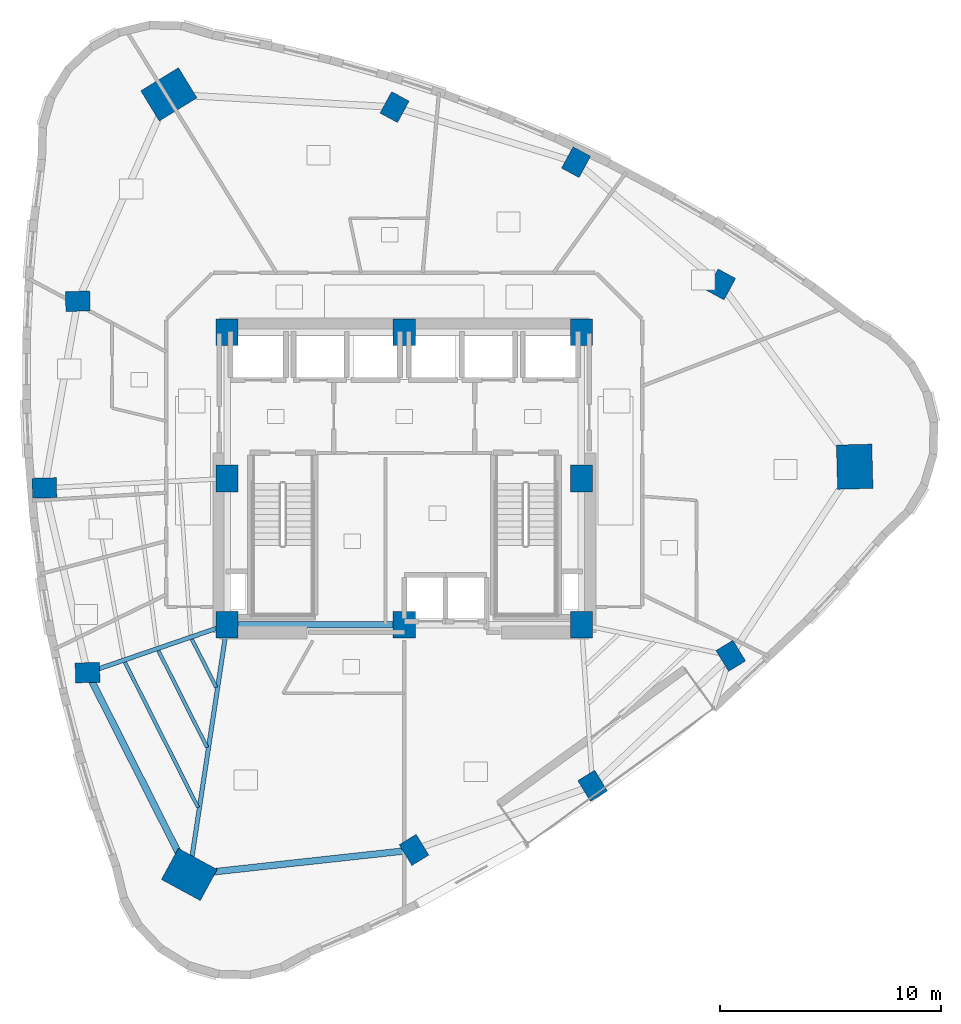
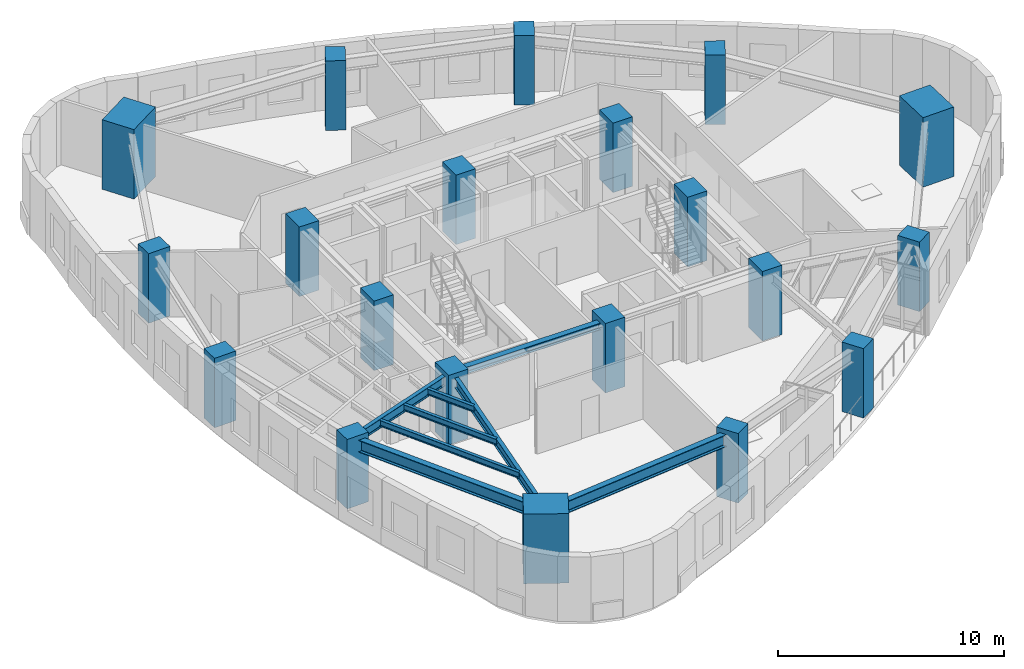
# One storey, part 1 of 11: 20 columns, 8 beams.
"""IFC4 building model written with IfcOpenShell, lengths in metres."""

from ifc_helpers import new_model, si_unit, direction, frame, origin, origin_2d, place, context, subcontext, project, spatial, rectangle, i_section, extrude, material, material_profile, profile_set, type_object, element, save


model = new_model("IFC4")

# Units and contexts
model_context = context("Model", 3, precision=1e-05, world=origin(), true_north=direction((0.0, 1.0)))
body_context = subcontext(model_context, "Body", "Model", "MODEL_VIEW")
ifc_project = project(units=[si_unit("LENGTHUNIT", "METRE"), si_unit("AREAUNIT", "SQUARE_METRE"), si_unit("VOLUMEUNIT", "CUBIC_METRE"), si_unit("PLANEANGLEUNIT", "RADIAN"), si_unit("MASSUNIT", "GRAM", prefix="KILO")], contexts=[model_context])

# Site, building, storey
site_placement = place(None, origin())
site = spatial("IfcSite", under=ifc_project, at=site_placement, CompositionType="ELEMENT")
building_placement = place(site_placement, origin())
building = spatial("IfcBuilding", under=site, at=building_placement, Name="Ndelora Gate Hotel", CompositionType="ELEMENT")
storey_placement = place(building_placement, frame((0.0, 0.0, 146.0)))
storey = spatial("IfcBuildingStorey", under=building, at=storey_placement, Name="L36", CompositionType="ELEMENT", Elevation=146.0)

# Columns
ifc_material_1 = material(Name="Concrete C60/75", Category="concrete")
ifc_material_profile_1 = material_profile(ifc_material_1, rectangle(XDim=1.0, YDim=1.199951171875, at=origin_2d()), Name="RC 1200x1000")
ifc_profile_set_1 = profile_set([ifc_material_profile_1], Name="Concrete C60/75")
column_type_1 = type_object("IfcColumnType", Name="COL-CC-MID", PredefinedType="COLUMN", material=ifc_profile_set_1)
for number, where, z_axis, x_axis, name in (
    (1, (-8.0, -6.60009765625, 0.0), (0.0, 0.0, 1.0), (1.0, 0.0, 0.0), "L36 Core Column CC1"),
    (2, (0.0, -6.60009765625, 0.0), (0.0, 0.0, 1.0), (1.0, 0.0, 0.0), "L36 Core Column CC2"),
    (3, (8.0, -6.60009765625, 0.0), (0.0, 0.0, 1.0), (1.0, 0.0, 0.0), "L36 Core Column CC3"),
    (4, (8.0, 0.0, 0.0), (0.0, 0.0, 1.0), (1.0, 0.0, 0.0), "L36 Core Column CC4"),
    (5, (8.0, 6.60009765625, 0.0), (0.0, 0.0, 1.0), (1.0, 0.0, 0.0), "L36 Core Column CC5"),
    (6, (0.0, 6.60009765625, 0.0), (0.0, 0.0, 1.0), (1.0, 0.0, 0.0), "L36 Core Column CC6"),
    (7, (-8.0, 6.60009765625, 0.0), (0.0, 0.0, 1.0), (1.0, 0.0, 0.0), "L36 Core Column CC7"),
    (8, (-8.0, 0.0, 0.0), (0.0, 0.0, 1.0), (1.0, 0.0, 0.0), "L36 Core Column CC8"),
):
    element("IfcColumn", number, at=place(storey_placement, frame(where, z_axis=z_axis, x_axis=x_axis)), inside=storey, type_object=column_type_1, Name=name, PredefinedType="COLUMN", context=body_context, shape_type="SweptSolid", body=[
        extrude(rectangle(XDim=1.0, YDim=1.199951171875, at=origin_2d()), origin(), (0.0, 0.0, 1.0), 3.75),
    ])
ifc_material_profile_2 = material_profile(ifc_material_1, rectangle(XDim=1.60009765625, YDim=2.0, at=origin_2d()), Name="RC 2000x1600")
ifc_profile_set_2 = profile_set([ifc_material_profile_2], Name="Concrete C60/75")
column_type_2 = type_object("IfcColumnType", Name="COL-MC-Z2", PredefinedType="COLUMN", material=ifc_profile_set_2)
for number, where, z_axis, x_axis, name in (
    (9, (-10.63330078125, 17.351806640625, 0.0), (0.0, 0.0, 1.0), (-0.522498564716, 0.852640164354, 0.0), "L36 Corner Mega-Column R1"),
    (10, (-9.71044921875, -17.884521484375, 0.0), (0.0, 0.0, 1.0), (0.47715876026, 0.878817112662, 0.0), "L36 Corner Mega-Column R5"),
    (11, (20.34375, 0.53271484375, 0.0), (0.0, 0.0, 1.0), (0.999657324976, 0.026176948308, 0.0), "L36 Corner Mega-Column R9"),
):
    element("IfcColumn", number, at=place(storey_placement, frame(where, z_axis=z_axis, x_axis=x_axis)), inside=storey, type_object=column_type_2, Name=name, PredefinedType="COLUMN", context=body_context, shape_type="SweptSolid", body=[
        extrude(rectangle(XDim=1.60009765625, YDim=2.0, at=origin_2d()), origin(), (0.0, 0.0, 1.0), 3.75),
    ])
ifc_material_profile_3 = material_profile(ifc_material_1, rectangle(XDim=0.89990234375, YDim=1.10009765625, at=origin_2d()), Name="RC 1100x900")
ifc_profile_set_3 = profile_set([ifc_material_profile_3], Name="Concrete C60/75")
column_type_3 = type_object("IfcColumnType", Name="COL-PT-Z2", PredefinedType="COLUMN", material=ifc_profile_set_3)
for number, where, z_axis, x_axis, name in (
    (12, (-14.74658203125, 8.006591796875, 0.0), (0.0, 0.0, 1.0), (-0.026176948308, 0.999657324976, 0.0), "L36 Perimeter Tube Column R2"),
    (13, (-16.25537109375, -0.42578125, 0.0), (0.0, 0.0, 1.0), (-0.026176948308, 0.999657324976, 0.0), "L36 Perimeter Tube Column R3"),
    (14, (-14.307373046875, -8.767578125, 0.0), (0.0, 0.0, 1.0), (-0.026176948308, 0.999657324976, 0.0), "L36 Perimeter Tube Column R4"),
    (15, (0.439208984375, -16.7744140625, 0.0), (0.0, 0.0, 1.0), (0.852640164354, 0.522498564716, 0.0), "L36 Perimeter Tube Column R6"),
    (16, (8.50439453125, -13.878173828125, 0.0), (0.0, 0.0, 1.0), (0.852640164354, 0.522498564716, 0.0), "L36 Perimeter Tube Column R7"),
    (17, (14.74658203125, -8.006591796875, 0.0), (0.0, 0.0, 1.0), (0.852640164354, 0.522498564716, 0.0), "L36 Perimeter Tube Column R8"),
    (18, (14.30712890625, 8.767333984375, 0.0), (0.0, 0.0, 1.0), (-0.878817112662, 0.47715876026, 0.0), "L36 Perimeter Tube Column R10"),
    (19, (7.759033203125, 14.290283203125, 0.0), (0.0, 0.0, 1.0), (-0.878817112662, 0.47715876026, 0.0), "L36 Perimeter Tube Column R11"),
    (20, (-0.439208984375, 16.7744140625, 0.0), (0.0, 0.0, 1.0), (-0.878817112662, 0.47715876026, 0.0), "L36 Perimeter Tube Column R12"),
):
    element("IfcColumn", number, at=place(storey_placement, frame(where, z_axis=z_axis, x_axis=x_axis)), inside=storey, type_object=column_type_3, Name=name, PredefinedType="COLUMN", context=body_context, shape_type="SweptSolid", body=[
        extrude(rectangle(XDim=0.89990234375, YDim=1.10009765625, at=origin_2d()), origin(), (0.0, 0.0, 1.0), 3.75),
    ])

# Beams
ifc_material_2 = material(Name="Steel S355", Category="steel")
ifc_material_profile_4 = material_profile(ifc_material_2, i_section(OverallWidth=0.300048828125, OverallDepth=0.360107421875, WebThickness=0.012451171875, FlangeThickness=0.0224609375, FilletRadius=0.027099609375, at=origin_2d()), Name="HEB 360")
ifc_profile_set_4 = profile_set([ifc_material_profile_4], Name="Steel S355")
beam_type_1 = type_object("IfcBeamType", Name="BM-CORE-360", PredefinedType="BEAM", material=ifc_profile_set_4)
beam_1_placement = place(storey_placement, frame((-8.0, -6.60009765625, 3.320068359375), z_axis=(1.0, 0.0, 0.0), x_axis=(0.0, 1.0, 0.0)))
element("IfcBeam", 21, at=beam_1_placement, inside=storey, type_object=beam_type_1, Name="L36 Core Tie Girder CC1-CC2", PredefinedType="BEAM", context=body_context, shape_type="SweptSolid", body=[
    extrude(i_section(OverallWidth=0.300048828125, OverallDepth=0.360107421875, WebThickness=0.012451171875, FlangeThickness=0.0224609375, FilletRadius=0.027099609375, at=origin_2d()), origin(), (0.0, 0.0, 1.0), 8.0),
])
ifc_material_profile_5 = material_profile(ifc_material_2, i_section(OverallWidth=0.159912109375, OverallDepth=0.330078125, WebThickness=0.007568359375, FlangeThickness=0.011474609375, FilletRadius=0.01806640625, at=origin_2d()), Name="IPE 330")
ifc_profile_set_5 = profile_set([ifc_material_profile_5], Name="Steel S355")
beam_type_2 = type_object("IfcBeamType", Name="BM-JST-330", PredefinedType="JOIST", material=ifc_profile_set_5)
beam_2_placement = place(storey_placement, frame((-9.59033203125, -7.26171875, 3.3349609375), z_axis=(0.450139260243, -0.892958367668, 0.0), x_axis=(0.892958367668, 0.450139260243, 0.0)))
element("IfcBeam", 22, at=beam_2_placement, inside=storey, type_object=beam_type_2, Name="L36 Secondary Composite Floor Joist IN-4", PredefinedType="JOIST", context=body_context, shape_type="SweptSolid", body=[
    extrude(i_section(OverallWidth=0.159912109375, OverallDepth=0.330078125, WebThickness=0.007568359375, FlangeThickness=0.011474609375, FilletRadius=0.01806640625, at=origin_2d()), origin(), (0.0, 0.0, 1.0), 2.4345703125),
])
beam_3_placement = place(storey_placement, frame((-11.10400390625, -7.781982421875, 3.3349609375), z_axis=(0.450189724408, -0.892932926953, 0.0), x_axis=(0.892932926953, 0.450189724408, 0.0)))
element("IfcBeam", 23, at=beam_3_placement, inside=storey, type_object=beam_type_2, Name="L36 Secondary Composite Floor Joist MID-4", PredefinedType="JOIST", context=body_context, shape_type="SweptSolid", body=[
    extrude(i_section(OverallWidth=0.159912109375, OverallDepth=0.330078125, WebThickness=0.007568359375, FlangeThickness=0.011474609375, FilletRadius=0.01806640625, at=origin_2d()), origin(), (0.0, 0.0, 1.0), 4.885009765625),
])
beam_4_placement = place(storey_placement, frame((-12.617919921875, -8.30224609375, 3.3349609375), z_axis=(0.45023300903, -0.892911102843, 0.0), x_axis=(0.892911102843, 0.45023300903, 0.0)))
element("IfcBeam", 24, at=beam_4_placement, inside=storey, type_object=beam_type_2, Name="L36 Secondary Composite Floor Joist OUT-4", PredefinedType="JOIST", context=body_context, shape_type="SweptSolid", body=[
    extrude(i_section(OverallWidth=0.159912109375, OverallDepth=0.330078125, WebThickness=0.007568359375, FlangeThickness=0.011474609375, FilletRadius=0.01806640625, at=origin_2d()), origin(), (0.0, 0.0, 1.0), 7.335693359375),
])
ifc_material_profile_6 = material_profile(ifc_material_2, i_section(OverallWidth=0.199951171875, OverallDepth=0.5, WebThickness=0.01025390625, FlangeThickness=0.01611328125, FilletRadius=0.02099609375, at=origin_2d()), Name="IPE 500")
ifc_profile_set_6 = profile_set([ifc_material_profile_6], Name="Steel S355")
beam_type_3 = type_object("IfcBeamType", Name="BM-RAD-500", PredefinedType="BEAM", material=ifc_profile_set_6)
beam_5_placement = place(storey_placement, frame((-8.0, -6.60009765625, 3.25), z_axis=(-0.945717893913, -0.324988715392, 0.0), x_axis=(0.324988715392, -0.945717893913, 0.0)))
element("IfcBeam", 25, at=beam_5_placement, inside=storey, type_object=beam_type_3, Name="L36 Radial Floor Girder 4", PredefinedType="BEAM", context=body_context, shape_type="SweptSolid", body=[
    extrude(i_section(OverallWidth=0.199951171875, OverallDepth=0.5, WebThickness=0.01025390625, FlangeThickness=0.01611328125, FilletRadius=0.02099609375, at=origin_2d()), origin(), (0.0, 0.0, 1.0), 6.66943359375),
])
beam_6_placement = place(storey_placement, frame((-8.0, -6.60009765625, 3.25), z_axis=(-0.149864309615, -0.988706573612, 0.0), x_axis=(0.988706573612, -0.149864309615, 0.0)))
element("IfcBeam", 26, at=beam_6_placement, inside=storey, type_object=beam_type_3, Name="L36 Radial Floor Girder 5", PredefinedType="BEAM", context=body_context, shape_type="SweptSolid", body=[
    extrude(i_section(OverallWidth=0.199951171875, OverallDepth=0.5, WebThickness=0.01025390625, FlangeThickness=0.01611328125, FilletRadius=0.02099609375, at=origin_2d()), origin(), (0.0, 0.0, 1.0), 11.413330078125),
])
ifc_material_profile_7 = material_profile(ifc_material_2, i_section(OverallWidth=0.300048828125, OverallDepth=0.64990234375, WebThickness=0.01611328125, FlangeThickness=0.031005859375, FilletRadius=0.027099609375, at=origin_2d()), Name="HEB 650")
ifc_profile_set_7 = profile_set([ifc_material_profile_7], Name="Steel S355")
beam_type_4 = type_object("IfcBeamType", Name="BM-RING-650", PredefinedType="SPANDREL", material=ifc_profile_set_7)
for number, where, z_axis, x_axis, name in (
    (27, (-14.307373046875, -8.767578125, 3.175048828125), (0.450223868811, -0.892915711561, 0.0), (0.892915711561, 0.450223868811, 0.0), "L36 Perimeter Spandrel Girder 4"),
    (28, (-9.71044921875, -17.884521484375, 3.175048828125), (0.994071812898, 0.108725483685, 0.0), (-0.108725483685, 0.994071812898, 0.0), "L36 Perimeter Spandrel Girder 5"),
):
    element("IfcBeam", number, at=place(storey_placement, frame(where, z_axis=z_axis, x_axis=x_axis)), inside=storey, type_object=beam_type_4, Name=name, PredefinedType="SPANDREL", context=body_context, shape_type="SweptSolid", body=[
        extrude(i_section(OverallWidth=0.300048828125, OverallDepth=0.64990234375, WebThickness=0.01611328125, FlangeThickness=0.031005859375, FilletRadius=0.027099609375, at=origin_2d()), origin(), (0.0, 0.0, 1.0), 10.210205078125),
    ])

save(model, "model.ifc")
